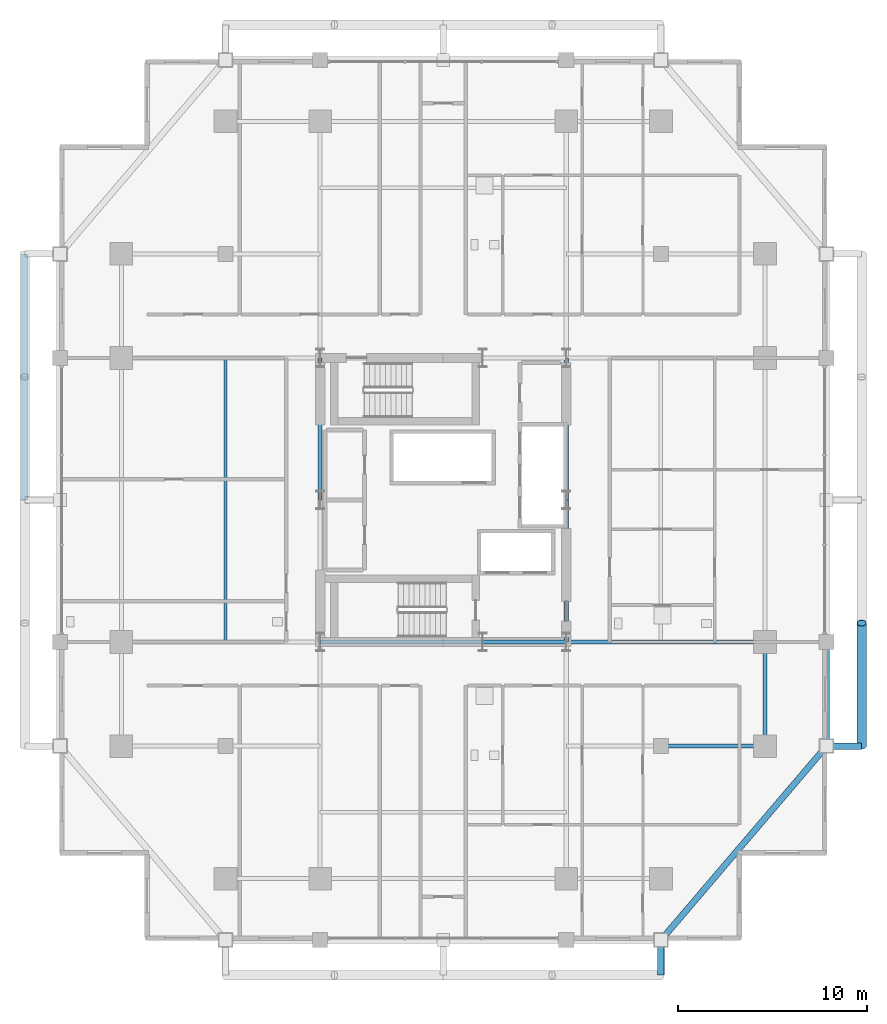
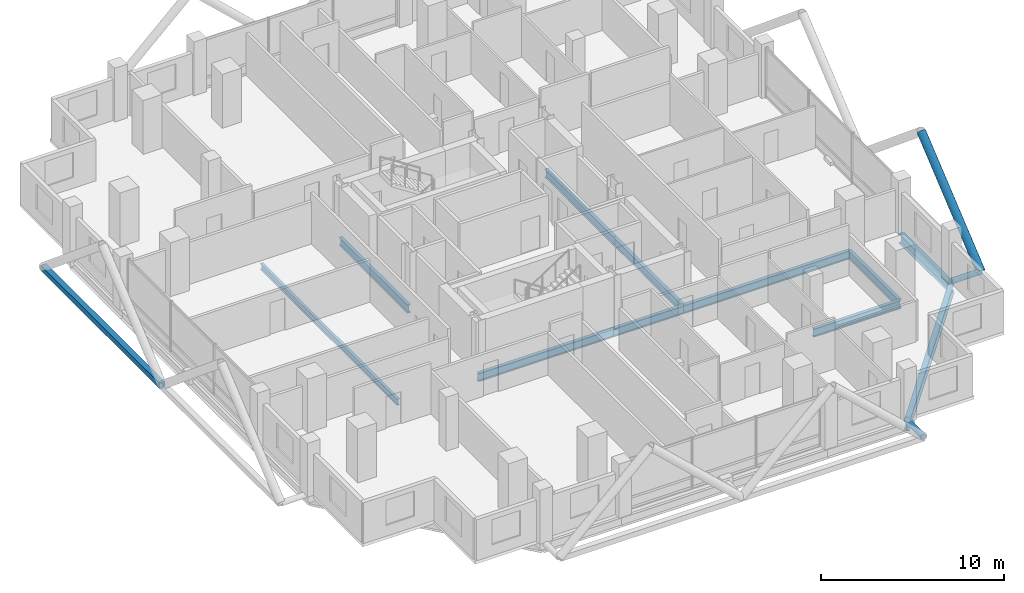
# One storey, part 8 of 24: 11 beams, 4 members.
"""IFC4 building model written with IfcOpenShell, lengths in metres."""

from ifc_helpers import new_model, si_unit, direction, frame, origin, origin_2d, place, context, subcontext, project, spatial, hollow_rectangle, hollow_circle, i_section, extrude, material, material_profile, profile_set, type_object, element, save


model = new_model("IFC4")

# Units and contexts
model_context = context("Model", 3, precision=1e-05, world=origin(), true_north=direction((0.0, 1.0)))
body_context = subcontext(model_context, "Body", "Model", "MODEL_VIEW")
ifc_project = project(units=[si_unit("LENGTHUNIT", "METRE"), si_unit("AREAUNIT", "SQUARE_METRE"), si_unit("VOLUMEUNIT", "CUBIC_METRE"), si_unit("PLANEANGLEUNIT", "RADIAN"), si_unit("MASSUNIT", "GRAM", prefix="KILO")], contexts=[model_context])

# Site, building, storey
site_placement = place(None, origin())
site = spatial("IfcSite", under=ifc_project, at=site_placement, CompositionType="ELEMENT")
building_placement = place(site_placement, origin())
building = spatial("IfcBuilding", under=site, at=building_placement, Name="Barlavira Tower and Art Museum", CompositionType="ELEMENT")
storey_placement = place(building_placement, frame((0.0, 0.0, 154.800048828125)))
storey = spatial("IfcBuildingStorey", under=building, at=storey_placement, Name="L39", CompositionType="ELEMENT", Elevation=154.800048828125)

# Members
ifc_material = material(Name="Steel S355", Category="steel")
ifc_material_profile_1 = material_profile(ifc_material, hollow_circle(Radius=0.25390625, WallThickness=0.022216796875, at=origin_2d()), Name="CHS 508.0x22.2")
ifc_profile_set_1 = profile_set([ifc_material_profile_1], Name="Steel S355")
member_type_1 = type_object("IfcMemberType", Name="Pale-Metal Exoskeleton Diagrid Tube CHS 508x22 Steel S355", PredefinedType="BRACE", material=ifc_profile_set_1)
member_1_placement = place(storey_placement, frame((22.10009765625, -13.0, -0.1201171875), z_axis=(0.0, 0.76918185268, 0.639029950399), x_axis=(-1.0, 0.0, 0.0)))
element("IfcMember", 1, at=member_1_placement, inside=storey, type_object=member_type_1, Name="L39 Exoskeleton Diagrid Tube E", PredefinedType="BRACE", context=body_context, shape_type="SweptSolid", body=[
    extrude(hollow_circle(Radius=0.25390625, WallThickness=0.022216796875, at=origin_2d()), origin(), (0.0, 0.0, 1.0), 8.450439453125),
])
ifc_material_profile_2 = material_profile(ifc_material, hollow_rectangle(XDim=0.35009765625, YDim=0.35009765625, WallThickness=0.02001953125, at=origin_2d()), Name="SHS 350x350x20.0")
ifc_profile_set_2 = profile_set([ifc_material_profile_2], Name="Steel S355")
member_type_2 = type_object("IfcMemberType", Name="Pale-Metal Exoskeleton Ring Strut SHS 350x350x20 Steel S355", PredefinedType="STRUT", material=ifc_profile_set_2)
member_2_placement = place(storey_placement, frame((-22.10009765625, 0.0, -0.1201171875), z_axis=(0.0, 1.0, 0.0), x_axis=(-1.0, 0.0, 0.0)))
element("IfcMember", 2, at=member_2_placement, inside=storey, type_object=member_type_2, Name="L39 Exoskeleton Ring Strut W", PredefinedType="STRUT", context=body_context, shape_type="SweptSolid", body=[
    extrude(hollow_rectangle(XDim=0.35009765625, YDim=0.35009765625, WallThickness=0.02001953125, at=origin_2d()), origin(), (0.0, 0.0, 1.0), 13.0),
])
ifc_material_profile_3 = material_profile(ifc_material, hollow_circle(Radius=0.177734375, WallThickness=0.01611328125, at=origin_2d()), Name="CHS 355.6x16.0")
ifc_profile_set_3 = profile_set([ifc_material_profile_3], Name="Steel S355")
member_type_3 = type_object("IfcMemberType", Name="Pale-Metal Exoskeleton Tie Strut CHS 356x16 Steel S355", PredefinedType="STRUT", material=ifc_profile_set_3)
for number, where, z_axis, x_axis, name in (
    (3, (11.5, -25.10009765625, -0.1201171875), (0.0, 1.0, 0.0), (-1.0, 0.0, 0.0), "L39 Exoskeleton Tie Strut S3"),
    (4, (22.10009765625, -13.0, -0.1201171875), (-1.0, 0.0, 0.0), (0.0, -1.0, 0.0), "L39 Exoskeleton Tie Strut E1"),
):
    element("IfcMember", number, at=place(storey_placement, frame(where, z_axis=z_axis, x_axis=x_axis)), inside=storey, type_object=member_type_3, Name=name, PredefinedType="STRUT", context=body_context, shape_type="SweptSolid", body=[
        extrude(hollow_circle(Radius=0.177734375, WallThickness=0.01611328125, at=origin_2d()), origin(), (0.0, 0.0, 1.0), 1.85009765625),
    ])

# Beams
ifc_material_profile_4 = material_profile(ifc_material, i_section(OverallWidth=0.327880859375, OverallDepth=0.62890625, WebThickness=0.013916015625, FlangeThickness=0.021484375, at=origin_2d()), Name="W610x174.0")
ifc_profile_set_4 = profile_set([ifc_material_profile_4], Name="Steel S355")
beam_type_1 = type_object("IfcBeamType", Name="Perimeter Spandrel Edge Beam W610x174 Steel S355", PredefinedType="SPANDREL", material=ifc_profile_set_4)
beam_1_placement = place(storey_placement, frame((11.5, -23.25, -0.53466796875), z_axis=(0.649262379928, 0.760564502202, 0.0), x_axis=(-0.760564502202, 0.649262379928, 0.0)))
element("IfcBeam", 5, at=beam_1_placement, inside=storey, type_object=beam_type_1, Name="L39 Spandrel 4", PredefinedType="SPANDREL", context=body_context, shape_type="SweptSolid", body=[
    extrude(i_section(OverallWidth=0.327880859375, OverallDepth=0.62890625, WebThickness=0.013916015625, FlangeThickness=0.021484375, at=origin_2d()), origin(), (0.0, 0.0, 1.0), 13.476806640625),
])
beam_2_placement = place(storey_placement, frame((20.25, -13.0, -0.53466796875), z_axis=(0.0, 1.0, 0.0), x_axis=(-1.0, 0.0, 0.0)))
element("IfcBeam", 6, at=beam_2_placement, inside=storey, type_object=beam_type_1, Name="L39 Spandrel 5", PredefinedType="SPANDREL", context=body_context, shape_type="SweptSolid", body=[
    extrude(i_section(OverallWidth=0.327880859375, OverallDepth=0.62890625, WebThickness=0.013916015625, FlangeThickness=0.021484375, at=origin_2d()), origin(), (0.0, 0.0, 1.0), 5.5),
])
ifc_material_profile_5 = material_profile(ifc_material, i_section(OverallWidth=0.214111328125, OverallDepth=0.549072265625, WebThickness=0.0146484375, FlangeThickness=0.023681640625, at=origin_2d()), Name="W530x138.0")
ifc_profile_set_5 = profile_set([ifc_material_profile_5], Name="Steel S355")
beam_type_2 = type_object("IfcBeamType", Name="Zone 1 Primary Floor Girder W530x138 Steel S355", PredefinedType="BEAM", material=ifc_profile_set_5)
beam_3_placement = place(storey_placement, frame((-6.5, -7.5, -0.49462890625), z_axis=(1.0, 0.0, 0.0), x_axis=(0.0, 1.0, 0.0)))
element("IfcBeam", 7, at=beam_3_placement, inside=storey, type_object=beam_type_2, Name="L39 Girder C-S1", PredefinedType="BEAM", context=body_context, shape_type="SweptSolid", body=[
    extrude(i_section(OverallWidth=0.214111328125, OverallDepth=0.549072265625, WebThickness=0.0146484375, FlangeThickness=0.023681640625, at=origin_2d()), origin(), (0.0, 0.0, 1.0), 8.580078125),
])
beam_4_placement = place(storey_placement, frame((2.080078125, -7.5, -0.49462890625), z_axis=(1.0, 0.0, 0.0), x_axis=(0.0, 1.0, 0.0)))
element("IfcBeam", 8, at=beam_4_placement, inside=storey, type_object=beam_type_2, Name="L39 Girder C-S2", PredefinedType="BEAM", context=body_context, shape_type="SweptSolid", body=[
    extrude(i_section(OverallWidth=0.214111328125, OverallDepth=0.549072265625, WebThickness=0.0146484375, FlangeThickness=0.023681640625, at=origin_2d()), origin(), (0.0, 0.0, 1.0), 4.419921875),
])
for number, where, z_axis, x_axis, name in (
    (9, (-6.5, 0.0, -0.49462890625), (0.0, 1.0, 0.0), (-1.0, 0.0, 0.0), "L39 Girder C-W2"),
    (10, (6.5, -7.5, -0.49462890625), (0.0, 1.0, 0.0), (-1.0, 0.0, 0.0), "L39 Girder C-E1"),
    (11, (6.5, 0.0, -0.49462890625), (0.0, 1.0, 0.0), (-1.0, 0.0, 0.0), "L39 Girder C-E2"),
):
    element("IfcBeam", number, at=place(storey_placement, frame(where, z_axis=z_axis, x_axis=x_axis)), inside=storey, type_object=beam_type_2, Name=name, PredefinedType="BEAM", context=body_context, shape_type="SweptSolid", body=[
        extrude(i_section(OverallWidth=0.214111328125, OverallDepth=0.549072265625, WebThickness=0.0146484375, FlangeThickness=0.023681640625, at=origin_2d()), origin(), (0.0, 0.0, 1.0), 7.5),
    ])
beam_5_placement = place(storey_placement, frame((17.0, -13.0, -0.49462890625), z_axis=(0.0, 1.0, 0.0), x_axis=(-1.0, 0.0, 0.0)))
element("IfcBeam", 12, at=beam_5_placement, inside=storey, type_object=beam_type_2, Name="L39 Girder M-E1", PredefinedType="BEAM", context=body_context, shape_type="SweptSolid", body=[
    extrude(i_section(OverallWidth=0.214111328125, OverallDepth=0.549072265625, WebThickness=0.0146484375, FlangeThickness=0.023681640625, at=origin_2d()), origin(), (0.0, 0.0, 1.0), 5.5),
])
beam_6_placement = place(storey_placement, frame((6.5, -7.5, -0.49462890625), z_axis=(1.0, 0.0, 0.0), x_axis=(0.0, 1.0, 0.0)))
element("IfcBeam", 13, at=beam_6_placement, inside=storey, type_object=beam_type_2, Name="L39 Girder R-E1", PredefinedType="BEAM", context=body_context, shape_type="SweptSolid", body=[
    extrude(i_section(OverallWidth=0.214111328125, OverallDepth=0.549072265625, WebThickness=0.0146484375, FlangeThickness=0.023681640625, at=origin_2d()), origin(), (0.0, 0.0, 1.0), 10.5),
])
beam_7_placement = place(storey_placement, frame((11.5, -13.0, -0.49462890625), z_axis=(1.0, 0.0, 0.0), x_axis=(0.0, 1.0, 0.0)))
element("IfcBeam", 14, at=beam_7_placement, inside=storey, type_object=beam_type_2, Name="L39 Girder I-S4", PredefinedType="BEAM", context=body_context, shape_type="SweptSolid", body=[
    extrude(i_section(OverallWidth=0.214111328125, OverallDepth=0.549072265625, WebThickness=0.0146484375, FlangeThickness=0.023681640625, at=origin_2d()), origin(), (0.0, 0.0, 1.0), 5.5),
])
ifc_material_profile_6 = material_profile(ifc_material, i_section(OverallWidth=0.179931640625, OverallDepth=0.4130859375, WebThickness=0.009765625, FlangeThickness=0.01611328125, at=origin_2d()), Name="W410x75.0")
ifc_profile_set_6 = profile_set([ifc_material_profile_6], Name="Steel S355")
beam_type_3 = type_object("IfcBeamType", Name="Zone 2 Composite Floor Joist W410x75 Steel S355", PredefinedType="JOIST", material=ifc_profile_set_6)
beam_8_placement = place(storey_placement, frame((-11.5, -7.5, -0.426513671875), z_axis=(0.0, 1.0, 0.0), x_axis=(-1.0, 0.0, 0.0)))
element("IfcBeam", 15, at=beam_8_placement, inside=storey, type_object=beam_type_3, Name="L39 Joist W1", PredefinedType="JOIST", context=body_context, shape_type="SweptSolid", body=[
    extrude(i_section(OverallWidth=0.179931640625, OverallDepth=0.4130859375, WebThickness=0.009765625, FlangeThickness=0.01611328125, at=origin_2d()), origin(), (0.0, 0.0, 1.0), 15.0),
])

save(model, "model.ifc")
